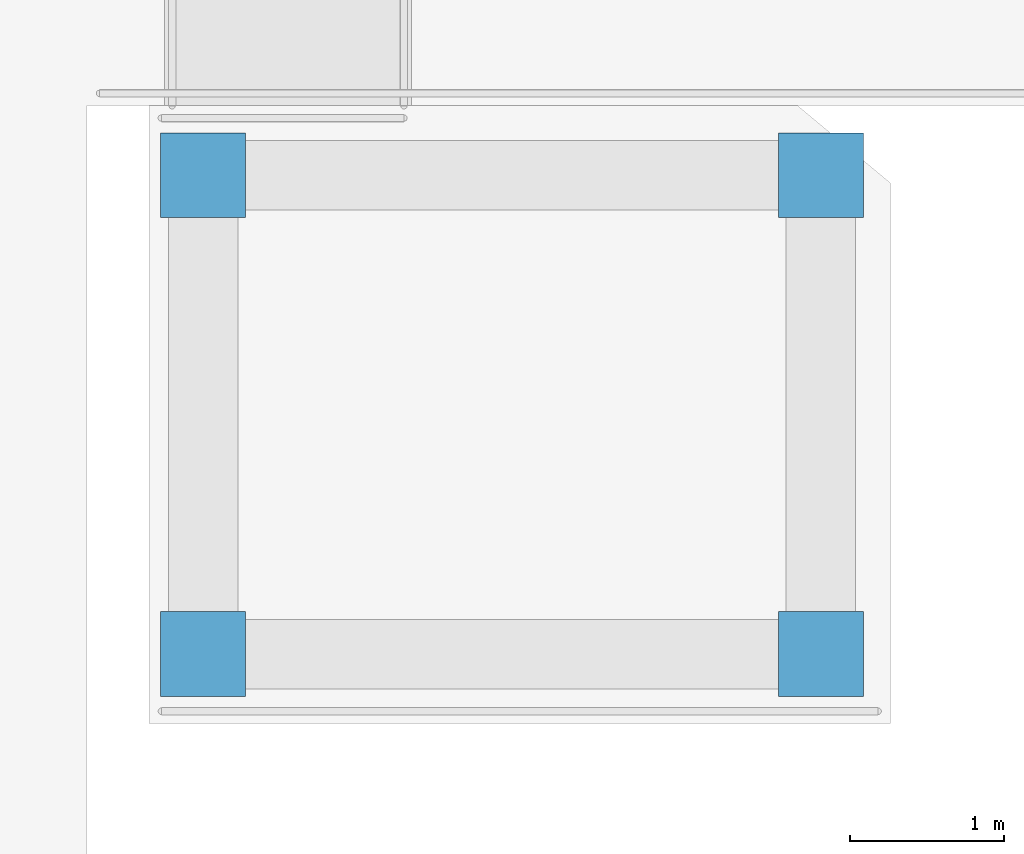
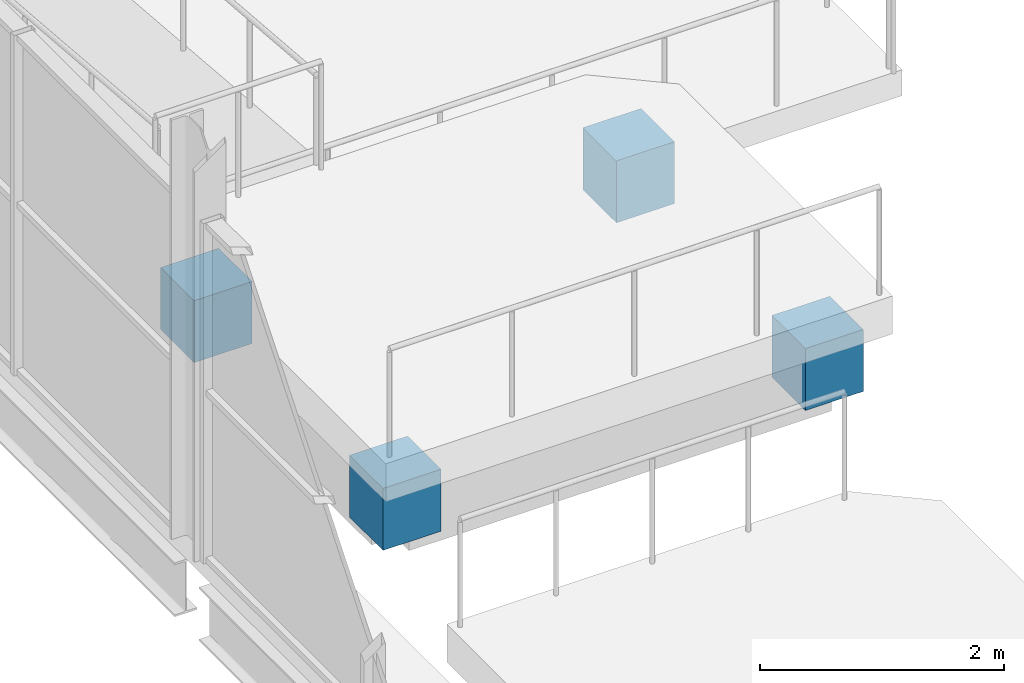
# One storey, part 9 of 93: 4 columns.
"""IFC4 building model written with IfcOpenShell, lengths in metres."""

from ifc_helpers import new_model, si_unit, direction, frame, origin, origin_2d, place, context, subcontext, project, spatial, rectangle, extrude, material, material_profile, profile_set, type_object, element, save


model = new_model("IFC4")

# Units and contexts
model_context = context("Model", 3, precision=1e-05, world=origin(), true_north=direction((0.0, 1.0)))
body_context = subcontext(model_context, "Body", "Model", "MODEL_VIEW")
ifc_project = project(units=[si_unit("LENGTHUNIT", "METRE"), si_unit("AREAUNIT", "SQUARE_METRE"), si_unit("VOLUMEUNIT", "CUBIC_METRE"), si_unit("PLANEANGLEUNIT", "RADIAN"), si_unit("MASSUNIT", "GRAM", prefix="KILO"), si_unit("THERMODYNAMICTEMPERATUREUNIT", "KELVIN")], contexts=[model_context])

# Site, building, storey
site_placement = place(None, origin())
site = spatial("IfcSite", under=ifc_project, at=site_placement, CompositionType="ELEMENT")
building_placement = place(site_placement, origin())
building = spatial("IfcBuilding", under=site, at=building_placement, Name="Nduvali Passage Aquatics Centre", CompositionType="ELEMENT")
storey_placement = place(building_placement, frame((0.0, 0.0, 9.0)))
storey = spatial("IfcBuildingStorey", under=building, at=storey_placement, Name="L02", CompositionType="ELEMENT", Elevation=9.0)

# Columns
ifc_material = material(Name="Concrete C40/50", Category="concrete")
ifc_material_profile = material_profile(ifc_material, rectangle(XDim=0.550048828125, YDim=0.550048828125, at=origin_2d()), Name="RC 550x550")
ifc_profile_set = profile_set([ifc_material_profile], Name="Concrete C40/50")
column_type = type_object("IfcColumnType", Name="STR-COL-RC550", PredefinedType="COLUMN", material=ifc_profile_set)
for number, where, z_axis, x_axis, name in (
    (1, (1.550048828125, 66.64990234375, 0.0), (0.0, 0.0, 1.0), (1.0, 0.0, 0.0), "L02 Column C4 (1.6, 66.7)"),
    (2, (1.550048828125, 69.75, 0.0), (0.0, 0.0, 1.0), (1.0, 0.0, 0.0), "L02 Column C4 (1.6, 69.8)"),
    (3, (5.550048828125, 66.64990234375, 0.0), (0.0, 0.0, 1.0), (1.0, 0.0, 0.0), "L02 Column C4 (5.5, 66.7)"),
    (4, (5.550048828125, 69.75, 0.0), (0.0, 0.0, 1.0), (1.0, 0.0, 0.0), "L02 Column C4 (5.5, 69.8)"),
):
    element("IfcColumn", number, at=place(storey_placement, frame(where, z_axis=z_axis, x_axis=x_axis)), inside=storey, type_object=column_type, Name=name, PredefinedType="COLUMN", context=body_context, shape_type="SweptSolid", body=[
        extrude(rectangle(XDim=0.550048828125, YDim=0.550048828125, at=origin_2d()), origin(), (0.0, 0.0, 1.0), 0.6201171875),
    ])

save(model, "model.ifc")
